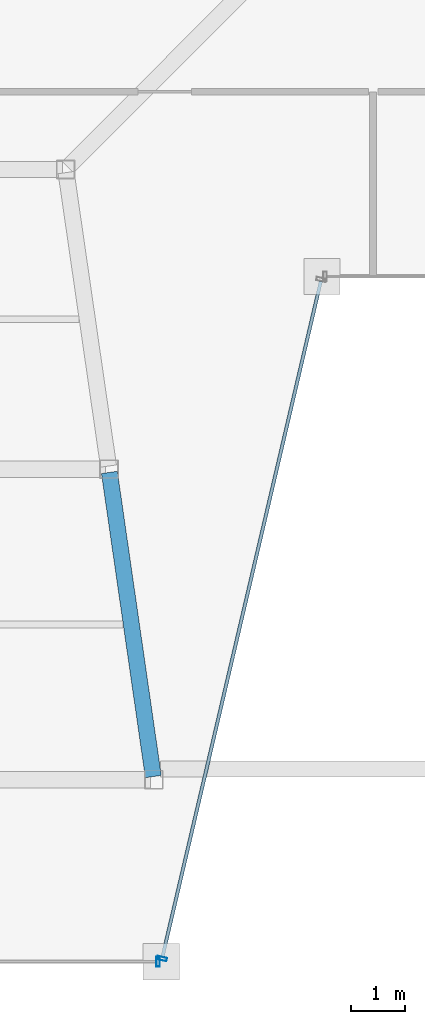
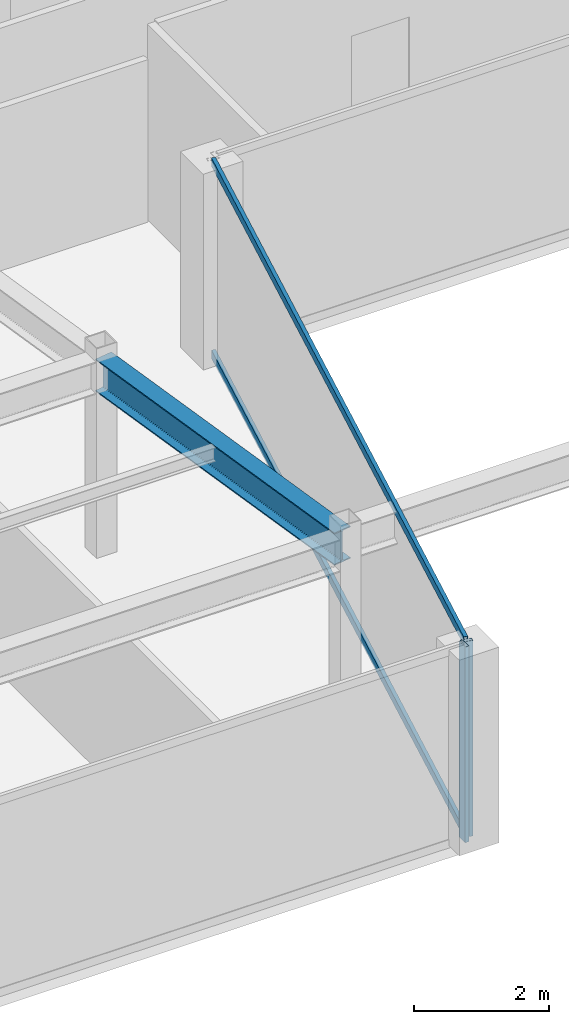
# One storey, part 6 of 32: 4 members, 1 beam, 2 elements without a shape of their own.
"""IFC4 building model written with IfcOpenShell, lengths in metres."""

from ifc_helpers import new_model, si_unit, direction, frame, origin, origin_2d, place, context, subcontext, project, spatial, hollow_rectangle, i_section, extrude, material, material_profile, profile_set, type_object, element, aggregate, save


model = new_model("IFC4")

# Units and contexts
model_context = context("Model", 3, precision=1e-05, world=origin(), true_north=direction((0.0, 1.0)))
body_context = subcontext(model_context, "Body", "Model", "MODEL_VIEW")
ifc_project = project(units=[si_unit("LENGTHUNIT", "METRE"), si_unit("AREAUNIT", "SQUARE_METRE"), si_unit("VOLUMEUNIT", "CUBIC_METRE"), si_unit("PLANEANGLEUNIT", "RADIAN"), si_unit("MASSUNIT", "GRAM", prefix="KILO")], contexts=[model_context])

# Site, building, storey
site_placement = place(None, origin())
site = spatial("IfcSite", under=ifc_project, at=site_placement, CompositionType="ELEMENT")
building_placement = place(site_placement, origin())
building = spatial("IfcBuilding", under=site, at=building_placement, Name="Saevonmaru Cultural Tower", CompositionType="ELEMENT")
storey_placement = place(building_placement, frame((0.0, 0.0, 261.0)))
storey = spatial("IfcBuildingStorey", under=building, at=storey_placement, Name="L61", CompositionType="ELEMENT", Elevation=261.0)

# Beam
ifc_material_1 = material(Name="Steel SM355", Category="steel")
ifc_material_profile_1 = material_profile(ifc_material_1, i_section(OverallWidth=0.300048828125, OverallDepth=0.587890625, WebThickness=0.011962890625, FlangeThickness=0.02001953125, FilletRadius=0.02392578125, at=origin_2d()), Name="H-588x300x12x20")
ifc_profile_set_1 = profile_set([ifc_material_profile_1], Name="Steel SM355")
beam_type = type_object("IfcBeamType", Name="BM-G-H588", PredefinedType="BEAM", material=ifc_profile_set_1)
beam_placement = place(storey_placement, frame((20.4453125, 26.259521484375, 3.256103515625), z_axis=(-0.142826510921, 0.989747739466, 0.0), x_axis=(-0.989747739466, -0.142826510921, 0.0)))
element("IfcBeam", 1, at=beam_placement, inside=storey, type_object=beam_type, Name="L61 West Atrium Girder 1", PredefinedType="BEAM", context=body_context, shape_type="SweptSolid", body=[
    extrude(i_section(OverallWidth=0.300048828125, OverallDepth=0.587890625, WebThickness=0.011962890625, FlangeThickness=0.02001953125, FilletRadius=0.02392578125, at=origin_2d()), origin(), (0.0, 0.0, 1.0), 5.739990234375),
])

# Curtain wall, member
ifc_material_2 = material(Name="Satin Bronze Anodised Aluminium", Category="aluminium")
curtain_wall_type = type_object("IfcCurtainWallType", Name="CW-TYP-B", PredefinedType="NOTDEFINED", material=ifc_material_2)
curtain_wall_1_placement = place(storey_placement, origin())
curtain_wall_1 = element("IfcCurtainWall", 2, at=curtain_wall_1_placement, inside=storey, type_object=curtain_wall_type, Name="L61 Unitised Curtain Wall E2", PredefinedType="NOTDEFINED")
ifc_material_profile_2 = material_profile(ifc_material_2, hollow_rectangle(XDim=0.06494140625, YDim=0.179931640625, WallThickness=0.00390625, at=origin_2d()), Name="ALU-MULL-180x65x4")
ifc_profile_set_2 = profile_set([ifc_material_profile_2], Name="Satin Bronze Anodised Aluminium")
member_type_1 = type_object("IfcMemberType", Name="ML-CW-180x65", PredefinedType="MULLION", material=ifc_profile_set_2)
member_1_placement = place(storey_placement, frame((20.53564453125, 22.800048828125, 0.0), z_axis=(0.0, 0.0, 1.0), x_axis=(1.0, 0.0, 0.0)))
member_1 = element("IfcMember", 3, at=member_1_placement, type_object=member_type_1, Name="CW-TW-L61-E2 mullion 2", PredefinedType="MULLION", context=body_context, shape_type="SweptSolid", body=[
    extrude(hollow_rectangle(XDim=0.06494140625, YDim=0.179931640625, WallThickness=0.00390625, at=origin_2d()), origin(), (0.0, 0.0, 1.0), 3.550048828125),
])
aggregate(curtain_wall_1, [member_1])

# Curtain wall, members
curtain_wall_2_placement = place(storey_placement, origin())
curtain_wall_2 = element("IfcCurtainWall", 4, at=curtain_wall_2_placement, inside=storey, type_object=curtain_wall_type, Name="L61 Unitised Curtain Wall E3", PredefinedType="NOTDEFINED")
member_2_placement = place(storey_placement, frame((20.609375, 22.8583984375, 0.0), z_axis=(0.0, 0.0, 1.0), x_axis=(0.228189509449, 0.973616735568, 0.0)))
member_2 = element("IfcMember", 5, at=member_2_placement, type_object=member_type_1, Name="CW-TW-L61-E3 mullion 1", PredefinedType="MULLION", context=body_context, shape_type="SweptSolid", body=[
    extrude(hollow_rectangle(XDim=0.06494140625, YDim=0.179931640625, WallThickness=0.00390625, at=origin_2d()), origin(), (0.0, 0.0, 1.0), 3.550048828125),
])
ifc_material_profile_3 = material_profile(ifc_material_2, hollow_rectangle(XDim=0.06494140625, YDim=0.14990234375, WallThickness=0.00390625, at=origin_2d()), Name="ALU-TRAN-150x65x4")
ifc_profile_set_3 = profile_set([ifc_material_profile_3], Name="Satin Bronze Anodised Aluminium")
member_type_2 = type_object("IfcMemberType", Name="TR-CW-150x65", PredefinedType="USERDEFINED", material=ifc_profile_set_3)
member_3_placement = place(storey_placement, frame((20.61669921875, 22.89013671875, 0.032470703125), z_axis=(0.228189927903, 0.973616637493, 0.0), x_axis=(-0.973616637493, 0.228189927903, 0.0)))
member_3 = element("IfcMember", 6, at=member_3_placement, type_object=member_type_2, Name="CW-TW-L61-E3 transom 1.1", ObjectType="TRANSOM", PredefinedType="USERDEFINED", context=body_context, shape_type="SweptSolid", body=[
    extrude(hollow_rectangle(XDim=0.06494140625, YDim=0.14990234375, WallThickness=0.00390625, at=origin_2d()), origin(), (0.0, 0.0, 1.0), 12.9619140625),
])
member_4_placement = place(storey_placement, frame((20.61669921875, 22.89013671875, 3.517578125), z_axis=(0.228189927903, 0.973616637493, 0.0), x_axis=(-0.973616637493, 0.228189927903, 0.0)))
member_4 = element("IfcMember", 7, at=member_4_placement, type_object=member_type_2, Name="CW-TW-L61-E3 transom 1.2", ObjectType="TRANSOM", PredefinedType="USERDEFINED", context=body_context, shape_type="SweptSolid", body=[
    extrude(hollow_rectangle(XDim=0.06494140625, YDim=0.14990234375, WallThickness=0.00390625, at=origin_2d()), origin(), (0.0, 0.0, 1.0), 12.9619140625),
])
aggregate(curtain_wall_2, [member_2, member_3, member_4])

save(model, "model.ifc")
